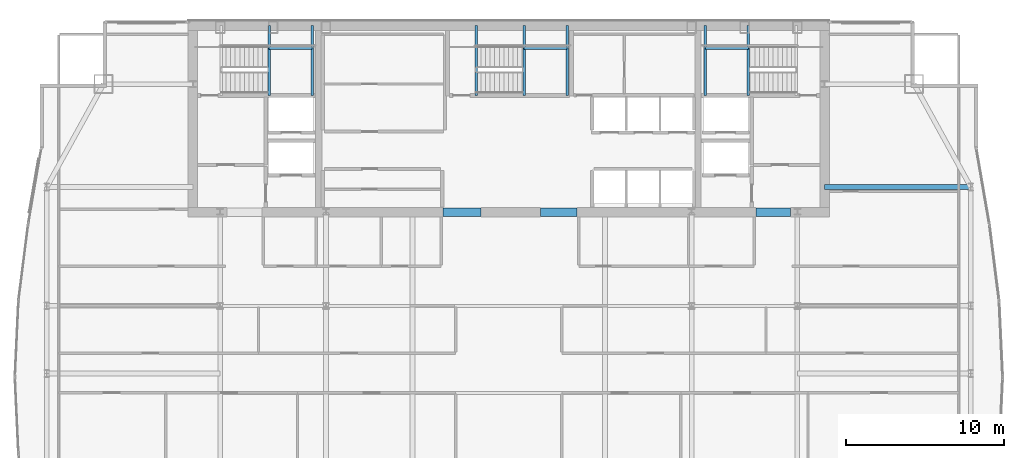
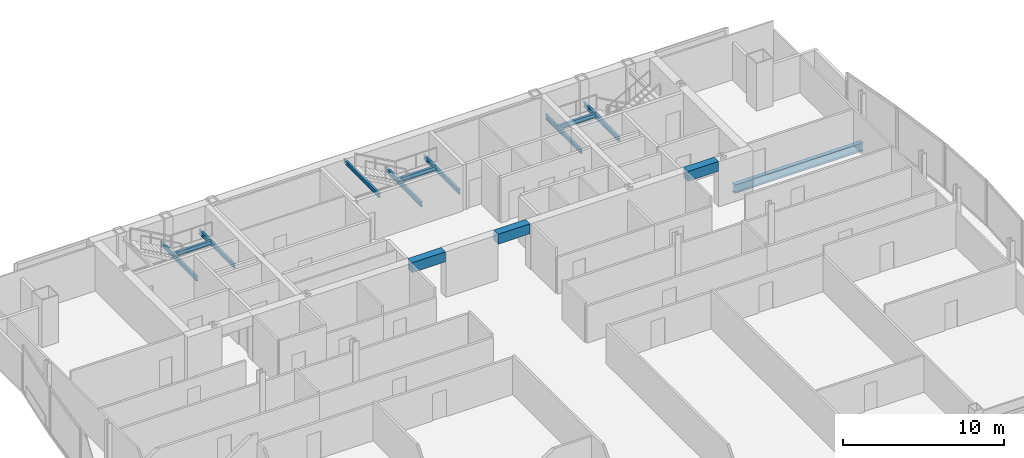
# One storey, part 22 of 30: 14 beams.
"""IFC4 building model written with IfcOpenShell, lengths in metres."""

from ifc_helpers import new_model, si_unit, direction, frame, origin, origin_2d, place, context, subcontext, project, spatial, rectangle, i_section, extrude, material, material_profile, profile_set, type_object, element, save


model = new_model("IFC4")

# Units and contexts
model_context = context("Model", 3, precision=1e-05, world=origin(), true_north=direction((0.0, 1.0)))
body_context = subcontext(model_context, "Body", "Model", "MODEL_VIEW")
ifc_project = project(units=[si_unit("LENGTHUNIT", "METRE"), si_unit("AREAUNIT", "SQUARE_METRE"), si_unit("VOLUMEUNIT", "CUBIC_METRE"), si_unit("PLANEANGLEUNIT", "RADIAN"), si_unit("MASSUNIT", "GRAM", prefix="KILO")], contexts=[model_context])

# Site, building, storey
site_placement = place(None, origin())
site = spatial("IfcSite", under=ifc_project, at=site_placement, CompositionType="ELEMENT")
building_placement = place(site_placement, origin())
building = spatial("IfcBuilding", under=site, at=building_placement, Name="Khoronbel Lancet Exchange", CompositionType="ELEMENT")
storey_placement = place(building_placement, frame((0.0, 0.0, 224.60009765625)))
storey = spatial("IfcBuildingStorey", under=building, at=storey_placement, Name="L57", CompositionType="ELEMENT", Elevation=224.60009765625)

# Beams
ifc_material_1 = material(Name="Steel S355", Category="steel")
ifc_material_profile_1 = material_profile(ifc_material_1, i_section(OverallWidth=0.300048828125, OverallDepth=0.64990234375, WebThickness=0.01611328125, FlangeThickness=0.031005859375, at=origin_2d()), Name="HEB 650")
ifc_profile_set_1 = profile_set([ifc_material_profile_1], Name="Steel S355")
beam_type_1 = type_object("IfcBeamType", Name="BM-BG4", PredefinedType="BEAM", material=ifc_profile_set_1)
beam_1_placement = place(storey_placement, frame((56.39990234375, 43.199951171875, -0.485107421875), z_axis=(1.0, 0.0, 0.0), x_axis=(0.0, 1.0, 0.0)))
element("IfcBeam", 1, at=beam_1_placement, inside=storey, type_object=beam_type_1, Name="Level L57 east lens tie girder LG3E", PredefinedType="BEAM", context=body_context, shape_type="SweptSolid", body=[
    extrude(i_section(OverallWidth=0.300048828125, OverallDepth=0.64990234375, WebThickness=0.01611328125, FlangeThickness=0.031005859375, at=origin_2d()), origin(), (0.0, 0.0, 1.0), 9.22998046875),
])
ifc_material_profile_2 = material_profile(ifc_material_1, i_section(OverallWidth=0.159912109375, OverallDepth=0.330078125, WebThickness=0.007568359375, FlangeThickness=0.011474609375, at=origin_2d()), Name="IPE 330")
ifc_profile_set_2 = profile_set([ifc_material_profile_2], Name="Steel S355")
beam_type_2 = type_object("IfcBeamType", Name="BM-BJ7", PredefinedType="JOIST", material=ifc_profile_set_2)
for number, where, z_axis, x_axis, name in (
    (2, (21.320068359375, 48.97998046875, 1.434814453125), (0.0, 1.0, 0.0), (-1.0, 0.0, 0.0), "Level L57 stair ST1 landing bearer beam 1"),
    (3, (24.030029296875, 48.97998046875, 1.434814453125), (0.0, 1.0, 0.0), (-1.0, 0.0, 0.0), "Level L57 stair ST1 rear landing bearer beam 1"),
):
    element("IfcBeam", number, at=place(storey_placement, frame(where, z_axis=z_axis, x_axis=x_axis)), inside=storey, type_object=beam_type_2, Name=name, PredefinedType="JOIST", context=body_context, shape_type="SweptSolid", body=[
        extrude(i_section(OverallWidth=0.159912109375, OverallDepth=0.330078125, WebThickness=0.007568359375, FlangeThickness=0.011474609375, at=origin_2d()), origin(), (0.0, 0.0, 1.0), 4.419921875),
    ])
beam_2_placement = place(storey_placement, frame((21.320068359375, 51.97998046875, 1.434814453125), z_axis=(1.0, 0.0, 0.0), x_axis=(0.0, 1.0, 0.0)))
element("IfcBeam", 4, at=beam_2_placement, inside=storey, type_object=beam_type_2, Name="Level L57 stair ST1 landing cross trimmer beam 1", PredefinedType="JOIST", context=body_context, shape_type="SweptSolid", body=[
    extrude(i_section(OverallWidth=0.159912109375, OverallDepth=0.330078125, WebThickness=0.007568359375, FlangeThickness=0.011474609375, at=origin_2d()), origin(), (0.0, 0.0, 1.0), 2.7099609375),
])
for number, where, z_axis, x_axis, name in (
    (5, (51.580078125, 48.97998046875, 1.434814453125), (0.0, 1.0, 0.0), (-1.0, 0.0, 0.0), "Level L57 stair ST2 landing bearer beam 1"),
    (6, (48.8701171875, 48.97998046875, 1.434814453125), (0.0, 1.0, 0.0), (-1.0, 0.0, 0.0), "Level L57 stair ST2 rear landing bearer beam 1"),
):
    element("IfcBeam", number, at=place(storey_placement, frame(where, z_axis=z_axis, x_axis=x_axis)), inside=storey, type_object=beam_type_2, Name=name, PredefinedType="JOIST", context=body_context, shape_type="SweptSolid", body=[
        extrude(i_section(OverallWidth=0.159912109375, OverallDepth=0.330078125, WebThickness=0.007568359375, FlangeThickness=0.011474609375, at=origin_2d()), origin(), (0.0, 0.0, 1.0), 4.419921875),
    ])
beam_3_placement = place(storey_placement, frame((48.8701171875, 51.97998046875, 1.434814453125), z_axis=(1.0, 0.0, 0.0), x_axis=(0.0, 1.0, 0.0)))
element("IfcBeam", 7, at=beam_3_placement, inside=storey, type_object=beam_type_2, Name="Level L57 stair ST2 landing cross trimmer beam 1", PredefinedType="JOIST", context=body_context, shape_type="SweptSolid", body=[
    extrude(i_section(OverallWidth=0.159912109375, OverallDepth=0.330078125, WebThickness=0.007568359375, FlangeThickness=0.011474609375, at=origin_2d()), origin(), (0.0, 0.0, 1.0), 2.7099609375),
])
for number, where, z_axis, x_axis, name in (
    (8, (37.419921875, 48.97998046875, 1.434814453125), (0.0, 1.0, 0.0), (-1.0, 0.0, 0.0), "Level L57 stair ST3 landing bearer beam 1"),
    (9, (40.1298828125, 48.97998046875, 1.434814453125), (0.0, 1.0, 0.0), (-1.0, 0.0, 0.0), "Level L57 stair ST3 rear landing bearer beam 1"),
):
    element("IfcBeam", number, at=place(storey_placement, frame(where, z_axis=z_axis, x_axis=x_axis)), inside=storey, type_object=beam_type_2, Name=name, PredefinedType="JOIST", context=body_context, shape_type="SweptSolid", body=[
        extrude(i_section(OverallWidth=0.159912109375, OverallDepth=0.330078125, WebThickness=0.007568359375, FlangeThickness=0.011474609375, at=origin_2d()), origin(), (0.0, 0.0, 1.0), 4.419921875),
    ])
beam_4_placement = place(storey_placement, frame((37.419921875, 51.97998046875, 1.434814453125), z_axis=(1.0, 0.0, 0.0), x_axis=(0.0, 1.0, 0.0)))
element("IfcBeam", 10, at=beam_4_placement, inside=storey, type_object=beam_type_2, Name="Level L57 stair ST3 landing cross trimmer beam 1", PredefinedType="JOIST", context=body_context, shape_type="SweptSolid", body=[
    extrude(i_section(OverallWidth=0.159912109375, OverallDepth=0.330078125, WebThickness=0.007568359375, FlangeThickness=0.011474609375, at=origin_2d()), origin(), (0.0, 0.0, 1.0), 2.7099609375),
])
ifc_material_profile_3 = material_profile(ifc_material_1, i_section(OverallWidth=0.14990234375, OverallDepth=0.300048828125, WebThickness=0.007080078125, FlangeThickness=0.0107421875, at=origin_2d()), Name="IPE 300")
ifc_profile_set_3 = profile_set([ifc_material_profile_3], Name="Steel S355")
beam_type_3 = type_object("IfcBeamType", Name="BM-BJ8", PredefinedType="JOIST", material=ifc_profile_set_3)
beam_5_placement = place(storey_placement, frame((34.39990234375, 48.97998046875, 3.159912109375), z_axis=(0.0, 1.0, 0.0), x_axis=(-1.0, 0.0, 0.0)))
element("IfcBeam", 11, at=beam_5_placement, inside=storey, type_object=beam_type_3, Name="Level L57 stair ST3 upper-flight arrival trimmer beam", PredefinedType="JOIST", context=body_context, shape_type="SweptSolid", body=[
    extrude(i_section(OverallWidth=0.14990234375, OverallDepth=0.300048828125, WebThickness=0.007080078125, FlangeThickness=0.0107421875, at=origin_2d()), origin(), (0.0, 0.0, 1.0), 4.419921875),
])
ifc_material_2 = material(Name="Concrete C60/75", Category="concrete")
ifc_material_profile_4 = material_profile(ifc_material_2, rectangle(XDim=0.550048828125, YDim=0.75, at=origin_2d()), Name="RC 550x750")
ifc_profile_set_4 = profile_set([ifc_material_profile_4], Name="Concrete C60/75")
beam_type_4 = type_object("IfcBeamType", Name="BM-BL2", PredefinedType="LINTEL", material=ifc_profile_set_4)
beam_6_placement = place(storey_placement, frame((32.300048828125, 41.60009765625, 3.06494140625), z_axis=(1.0, 0.0, 0.0), x_axis=(0.0, 1.0, 0.0)))
element("IfcBeam", 12, at=beam_6_placement, inside=storey, type_object=beam_type_4, Name="Level L57 rear core coupling lintel L2", PredefinedType="LINTEL", context=body_context, shape_type="SweptSolid", body=[
    extrude(rectangle(XDim=0.550048828125, YDim=0.75, at=origin_2d()), origin(), (0.0, 0.0, 1.0), 2.39990234375),
])
beam_7_placement = place(storey_placement, frame((38.449951171875, 41.60009765625, 3.06494140625), z_axis=(1.0, 0.0, 0.0), x_axis=(0.0, 1.0, 0.0)))
element("IfcBeam", 13, at=beam_7_placement, inside=storey, type_object=beam_type_4, Name="Level L57 rear core coupling lintel L3", PredefinedType="LINTEL", context=body_context, shape_type="SweptSolid", body=[
    extrude(rectangle(XDim=0.550048828125, YDim=0.75, at=origin_2d()), origin(), (0.0, 0.0, 1.0), 2.300048828125),
])
beam_8_placement = place(storey_placement, frame((52.050048828125, 41.60009765625, 3.06494140625), z_axis=(1.0, 0.0, 0.0), x_axis=(0.0, 1.0, 0.0)))
element("IfcBeam", 14, at=beam_8_placement, inside=storey, type_object=beam_type_4, Name="Level L57 rear core coupling lintel L4", PredefinedType="LINTEL", context=body_context, shape_type="SweptSolid", body=[
    extrude(rectangle(XDim=0.550048828125, YDim=0.75, at=origin_2d()), origin(), (0.0, 0.0, 1.0), 2.199951171875),
])

save(model, "model.ifc")
